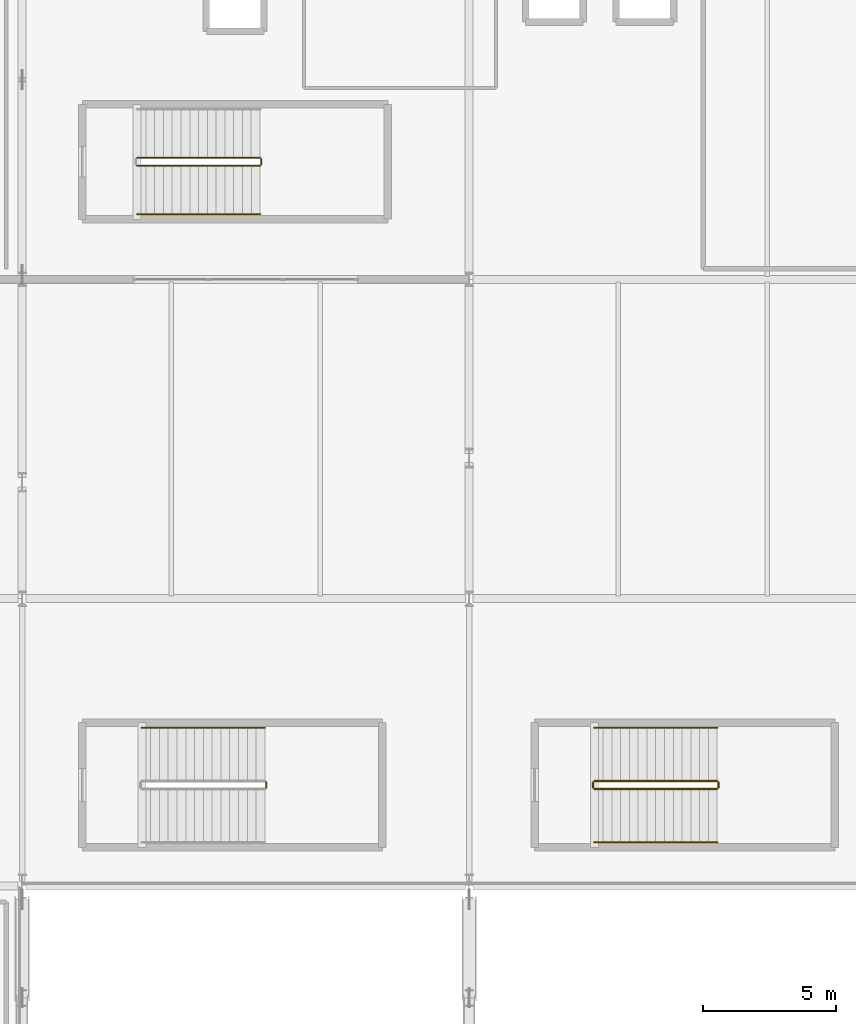
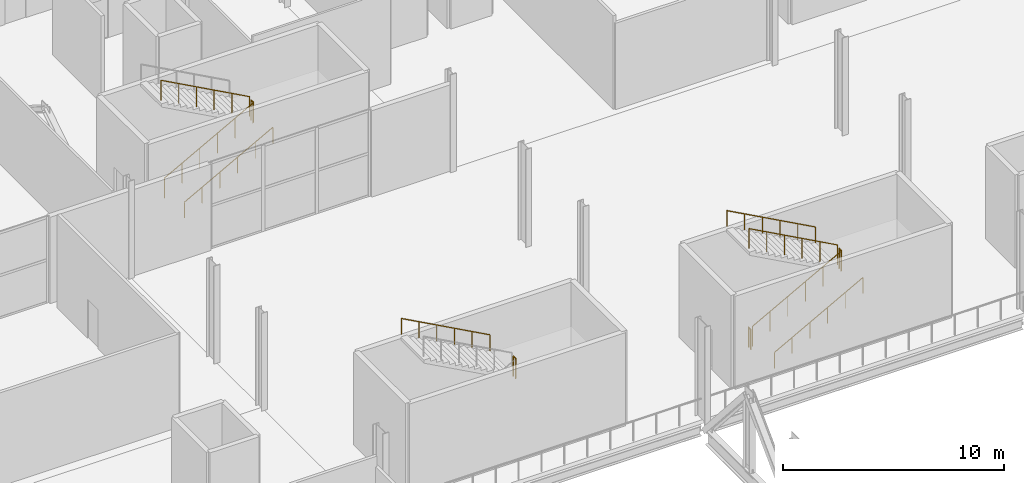
# One storey, part 73 of 84: 12 railings.
"""IFC4 building model written with IfcOpenShell, lengths in metres."""

from ifc_helpers import new_model, si_unit, direction, frame, origin, origin_2d, place, context, subcontext, project, spatial, circle, extrude, material, type_object, element, save


model = new_model("IFC4")

# Units and contexts
model_context = context("Model", 3, precision=1e-05, world=origin(), true_north=direction((0.0, 1.0)))
body_context = subcontext(model_context, "Body", "Model", "MODEL_VIEW")
ifc_project = project(units=[si_unit("LENGTHUNIT", "METRE"), si_unit("AREAUNIT", "SQUARE_METRE"), si_unit("VOLUMEUNIT", "CUBIC_METRE"), si_unit("PLANEANGLEUNIT", "RADIAN"), si_unit("MASSUNIT", "GRAM", prefix="KILO")], contexts=[model_context])

# Site, building, storey
site_placement = place(None, origin())
site = spatial("IfcSite", under=ifc_project, at=site_placement, CompositionType="ELEMENT")
building_placement = place(site_placement, origin())
building = spatial("IfcBuilding", under=site, at=building_placement, Name="Kimbaza Rail Terminus", CompositionType="ELEMENT")
storey_placement = place(building_placement, frame((0.0, 0.0, 5.39990234375)))
storey = spatial("IfcBuildingStorey", under=building, at=storey_placement, Name="L01", CompositionType="ELEMENT", Elevation=5.39990234375)

# Railings
ifc_material_1 = material(Name="Brushed stainless steel handrail", Category="steel")
railing_type_1 = type_object("IfcRailingType", Name="ARC-RL-HND92", PredefinedType="HANDRAIL", material=ifc_material_1)
railing_1_placement = place(storey_placement, frame((76.320068359375, 105.449951171875, 0.18017578125)))
element("IfcRailing", 1, at=railing_1_placement, inside=storey, type_object=railing_type_1, Name="L01 ST-W1 stair handrail 1", PredefinedType="HANDRAIL", context=body_context, shape_type="SweptSolid", body=[
    extrude(circle(Radius=0.02392578125, at=origin_2d()), frame((0.0, 0.0, 0.8759765625), z_axis=(0.877888480945, 0.0, 0.478865132395), x_axis=(0.0, 1.0, 0.0)), (0.0, 0.0, 1.0), 5.262451171875),
    extrude(circle(Radius=0.02099609375, at=origin_2d()), origin(), (0.0, 0.0, 1.0), 0.851806640625),
    extrude(circle(Radius=0.02099609375, at=origin_2d()), frame((0.924072265625, 0.0, 0.50390625)), (0.0, 0.0, 1.0), 0.851806640625),
    extrude(circle(Radius=0.02099609375, at=origin_2d()), frame((1.847900390625, 0.0, 1.008056640625)), (0.0, 0.0, 1.0), 0.851806640625),
    extrude(circle(Radius=0.02099609375, at=origin_2d()), frame((2.77197265625, 0.0, 1.511962890625)), (0.0, 0.0, 1.0), 0.851806640625),
    extrude(circle(Radius=0.02099609375, at=origin_2d()), frame((3.69580078125, 0.0, 2.01611328125)), (0.0, 0.0, 1.0), 0.851806640625),
    extrude(circle(Radius=0.02099609375, at=origin_2d()), frame((4.619873046875, 0.0, 2.52001953125)), (0.0, 0.0, 1.0), 0.851806640625),
])
railing_2_placement = place(storey_placement, frame((81.1201171875, 86.14990234375, 2.880126953125)))
element("IfcRailing", 2, at=railing_2_placement, inside=storey, type_object=railing_type_1, Name="L01 ST-C1 stair handrail 2", PredefinedType="HANDRAIL", context=body_context, shape_type="SweptSolid", body=[
    extrude(circle(Radius=0.02392578125, at=origin_2d()), frame((0.0, 0.0, 0.8759765625), z_axis=(-0.877899118682, 0.0, 0.478845630049), x_axis=(0.0, -1.0, 0.0)), (0.0, 0.0, 1.0), 5.2626953125),
    extrude(circle(Radius=0.02099609375, at=origin_2d()), origin(), (0.0, 0.0, 1.0), 0.851806640625),
    extrude(circle(Radius=0.02099609375, at=origin_2d()), frame((-0.924072265625, 0.0, 0.50390625)), (0.0, 0.0, 1.0), 0.851806640625),
    extrude(circle(Radius=0.02099609375, at=origin_2d()), frame((-1.84814453125, 0.0, 1.008056640625)), (0.0, 0.0, 1.0), 0.851806640625),
    extrude(circle(Radius=0.02099609375, at=origin_2d()), frame((-2.77197265625, 0.0, 1.511962890625)), (0.0, 0.0, 1.0), 0.851806640625),
    extrude(circle(Radius=0.02099609375, at=origin_2d()), frame((-3.696044921875, 0.0, 2.01611328125)), (0.0, 0.0, 1.0), 0.851806640625),
    extrude(circle(Radius=0.02099609375, at=origin_2d()), frame((-4.6201171875, 0.0, 2.52001953125)), (0.0, 0.0, 1.0), 0.851806640625),
])
railing_3_placement = place(storey_placement, frame((93.5, 81.85009765625, 0.18017578125)))
element("IfcRailing", 3, at=railing_3_placement, inside=storey, type_object=railing_type_1, Name="L01 ST-C3 stair handrail 1", PredefinedType="HANDRAIL", context=body_context, shape_type="SweptSolid", body=[
    extrude(circle(Radius=0.02392578125, at=origin_2d()), frame((0.0, 0.0, 0.8759765625), z_axis=(0.877899118682, 0.0, 0.478845630049), x_axis=(0.0, 1.0, 0.0)), (0.0, 0.0, 1.0), 5.2626953125),
    extrude(circle(Radius=0.02099609375, at=origin_2d()), origin(), (0.0, 0.0, 1.0), 0.851806640625),
    extrude(circle(Radius=0.02099609375, at=origin_2d()), frame((0.924072265625, 0.0, 0.50390625)), (0.0, 0.0, 1.0), 0.851806640625),
    extrude(circle(Radius=0.02099609375, at=origin_2d()), frame((1.84814453125, 0.0, 1.008056640625)), (0.0, 0.0, 1.0), 0.851806640625),
    extrude(circle(Radius=0.02099609375, at=origin_2d()), frame((2.77197265625, 0.0, 1.511962890625)), (0.0, 0.0, 1.0), 0.851806640625),
    extrude(circle(Radius=0.02099609375, at=origin_2d()), frame((3.696044921875, 0.0, 2.01611328125)), (0.0, 0.0, 1.0), 0.851806640625),
    extrude(circle(Radius=0.02099609375, at=origin_2d()), frame((4.6201171875, 0.0, 2.52001953125)), (0.0, 0.0, 1.0), 0.851806640625),
])
railing_4_placement = place(storey_placement, frame((98.1201171875, 86.14990234375, 2.880126953125)))
element("IfcRailing", 4, at=railing_4_placement, inside=storey, type_object=railing_type_1, Name="L01 ST-C3 stair handrail 2", PredefinedType="HANDRAIL", context=body_context, shape_type="SweptSolid", body=[
    extrude(circle(Radius=0.02392578125, at=origin_2d()), frame((0.0, 0.0, 0.8759765625), z_axis=(-0.877899118682, 0.0, 0.478845630049), x_axis=(0.0, -1.0, 0.0)), (0.0, 0.0, 1.0), 5.2626953125),
    extrude(circle(Radius=0.02099609375, at=origin_2d()), origin(), (0.0, 0.0, 1.0), 0.851806640625),
    extrude(circle(Radius=0.02099609375, at=origin_2d()), frame((-0.924072265625, 0.0, 0.50390625)), (0.0, 0.0, 1.0), 0.851806640625),
    extrude(circle(Radius=0.02099609375, at=origin_2d()), frame((-1.84814453125, 0.0, 1.008056640625)), (0.0, 0.0, 1.0), 0.851806640625),
    extrude(circle(Radius=0.02099609375, at=origin_2d()), frame((-2.77197265625, 0.0, 1.511962890625)), (0.0, 0.0, 1.0), 0.851806640625),
    extrude(circle(Radius=0.02099609375, at=origin_2d()), frame((-3.696044921875, 0.0, 2.01611328125)), (0.0, 0.0, 1.0), 0.851806640625),
    extrude(circle(Radius=0.02099609375, at=origin_2d()), frame((-4.6201171875, 0.0, 2.52001953125)), (0.0, 0.0, 1.0), 0.851806640625),
])
ifc_material_2 = material(Name="Painted tubular steel stair well guard", Category="steel")
railing_type_2 = type_object("IfcRailingType", Name="ARC-RL-STGRD", PredefinedType="GUARDRAIL", material=ifc_material_2)
railing_5_placement = place(storey_placement, frame((76.320068359375, 107.27001953125, 0.18017578125)))
element("IfcRailing", 5, at=railing_5_placement, inside=storey, type_object=railing_type_2, Name="L01 ST-W1 stair guard 1", PredefinedType="GUARDRAIL", context=body_context, shape_type="SweptSolid", body=[
    extrude(circle(Radius=0.02392578125, at=origin_2d()), frame((0.0, 0.0, 1.09619140625), z_axis=(0.877888480945, 0.0, 0.478865132395), x_axis=(0.0, 1.0, 0.0)), (0.0, 0.0, 1.0), 5.262451171875),
    extrude(circle(Radius=0.02099609375, at=origin_2d()), origin(), (0.0, 0.0, 1.0), 1.072021484375),
    extrude(circle(Radius=0.02099609375, at=origin_2d()), frame((0.924072265625, 0.0, 0.50390625)), (0.0, 0.0, 1.0), 1.072021484375),
    extrude(circle(Radius=0.02099609375, at=origin_2d()), frame((1.847900390625, 0.0, 1.008056640625)), (0.0, 0.0, 1.0), 1.072021484375),
    extrude(circle(Radius=0.02099609375, at=origin_2d()), frame((2.77197265625, 0.0, 1.511962890625)), (0.0, 0.0, 1.0), 1.072021484375),
    extrude(circle(Radius=0.02099609375, at=origin_2d()), frame((3.69580078125, 0.0, 2.01611328125)), (0.0, 0.0, 1.0), 1.072021484375),
    extrude(circle(Radius=0.02099609375, at=origin_2d()), frame((4.619873046875, 0.0, 2.52001953125)), (0.0, 0.0, 1.0), 1.072021484375),
])
railing_6_placement = place(storey_placement, frame((80.989990234375, 107.320068359375, 2.7001953125)))
element("IfcRailing", 6, at=railing_6_placement, inside=storey, type_object=railing_type_2, Name="L01 ST-W1 stair guard 2", PredefinedType="GUARDRAIL", context=body_context, shape_type="SweptSolid", body=[
    extrude(circle(Radius=0.02392578125, at=origin_2d()), frame((0.0, 0.0, 1.09619140625), z_axis=(0.0, 1.0, 0.0), x_axis=(-1.0, 0.0, 0.0)), (0.0, 0.0, 1.0), 0.199951171875),
    extrude(circle(Radius=0.02099609375, at=origin_2d()), origin(), (0.0, 0.0, 1.0), 1.072021484375),
    extrude(circle(Radius=0.02099609375, at=origin_2d()), frame((0.0, 0.199951171875, 0.0)), (0.0, 0.0, 1.0), 1.072021484375),
])
railing_7_placement = place(storey_placement, frame((80.93994140625, 107.570068359375, 2.880126953125)))
element("IfcRailing", 7, at=railing_7_placement, inside=storey, type_object=railing_type_2, Name="L01 ST-W1 stair guard 3", PredefinedType="GUARDRAIL", context=body_context, shape_type="SweptSolid", body=[
    extrude(circle(Radius=0.02392578125, at=origin_2d()), frame((0.0, 0.0, 1.09619140625), z_axis=(-0.877888480945, 0.0, 0.478865132395), x_axis=(0.0, -1.0, 0.0)), (0.0, 0.0, 1.0), 5.262451171875),
    extrude(circle(Radius=0.02099609375, at=origin_2d()), origin(), (0.0, 0.0, 1.0), 1.072021484375),
    extrude(circle(Radius=0.02099609375, at=origin_2d()), frame((-0.924072265625, 0.0, 0.50390625)), (0.0, 0.0, 1.0), 1.072021484375),
    extrude(circle(Radius=0.02099609375, at=origin_2d()), frame((-1.847900390625, 0.0, 1.008056640625)), (0.0, 0.0, 1.0), 1.072021484375),
    extrude(circle(Radius=0.02099609375, at=origin_2d()), frame((-2.77197265625, 0.0, 1.511962890625)), (0.0, 0.0, 1.0), 1.072021484375),
    extrude(circle(Radius=0.02099609375, at=origin_2d()), frame((-3.69580078125, 0.0, 2.01611328125)), (0.0, 0.0, 1.0), 1.072021484375),
    extrude(circle(Radius=0.02099609375, at=origin_2d()), frame((-4.619873046875, 0.0, 2.52001953125)), (0.0, 0.0, 1.0), 1.072021484375),
])
railing_8_placement = place(storey_placement, frame((81.169921875, 83.89990234375, 2.7001953125)))
element("IfcRailing", 8, at=railing_8_placement, inside=storey, type_object=railing_type_2, Name="L01 ST-C1 stair guard 2", PredefinedType="GUARDRAIL", context=body_context, shape_type="SweptSolid", body=[
    extrude(circle(Radius=0.02392578125, at=origin_2d()), frame((0.0, 0.0, 1.09619140625), z_axis=(0.0, 1.0, 0.0), x_axis=(-1.0, 0.0, 0.0)), (0.0, 0.0, 1.0), 0.2001953125),
    extrude(circle(Radius=0.02099609375, at=origin_2d()), origin(), (0.0, 0.0, 1.0), 1.072021484375),
    extrude(circle(Radius=0.02099609375, at=origin_2d()), frame((0.0, 0.2001953125, 0.0)), (0.0, 0.0, 1.0), 1.072021484375),
])
railing_9_placement = place(storey_placement, frame((93.5, 83.85009765625, 0.18017578125)))
element("IfcRailing", 9, at=railing_9_placement, inside=storey, type_object=railing_type_2, Name="L01 ST-C3 stair guard 1", PredefinedType="GUARDRAIL", context=body_context, shape_type="SweptSolid", body=[
    extrude(circle(Radius=0.02392578125, at=origin_2d()), frame((0.0, 0.0, 1.09619140625), z_axis=(0.877899118682, 0.0, 0.478845630049), x_axis=(0.0, 1.0, 0.0)), (0.0, 0.0, 1.0), 5.2626953125),
    extrude(circle(Radius=0.02099609375, at=origin_2d()), origin(), (0.0, 0.0, 1.0), 1.072021484375),
    extrude(circle(Radius=0.02099609375, at=origin_2d()), frame((0.924072265625, 0.0, 0.50390625)), (0.0, 0.0, 1.0), 1.072021484375),
    extrude(circle(Radius=0.02099609375, at=origin_2d()), frame((1.84814453125, 0.0, 1.008056640625)), (0.0, 0.0, 1.0), 1.072021484375),
    extrude(circle(Radius=0.02099609375, at=origin_2d()), frame((2.77197265625, 0.0, 1.511962890625)), (0.0, 0.0, 1.0), 1.072021484375),
    extrude(circle(Radius=0.02099609375, at=origin_2d()), frame((3.696044921875, 0.0, 2.01611328125)), (0.0, 0.0, 1.0), 1.072021484375),
    extrude(circle(Radius=0.02099609375, at=origin_2d()), frame((4.6201171875, 0.0, 2.52001953125)), (0.0, 0.0, 1.0), 1.072021484375),
])
railing_10_placement = place(storey_placement, frame((98.169921875, 83.89990234375, 2.7001953125)))
element("IfcRailing", 10, at=railing_10_placement, inside=storey, type_object=railing_type_2, Name="L01 ST-C3 stair guard 2", PredefinedType="GUARDRAIL", context=body_context, shape_type="SweptSolid", body=[
    extrude(circle(Radius=0.02392578125, at=origin_2d()), frame((0.0, 0.0, 1.09619140625), z_axis=(0.0, 1.0, 0.0), x_axis=(-1.0, 0.0, 0.0)), (0.0, 0.0, 1.0), 0.2001953125),
    extrude(circle(Radius=0.02099609375, at=origin_2d()), origin(), (0.0, 0.0, 1.0), 1.072021484375),
    extrude(circle(Radius=0.02099609375, at=origin_2d()), frame((0.0, 0.2001953125, 0.0)), (0.0, 0.0, 1.0), 1.072021484375),
])
railing_11_placement = place(storey_placement, frame((98.1201171875, 84.14990234375, 2.880126953125)))
element("IfcRailing", 11, at=railing_11_placement, inside=storey, type_object=railing_type_2, Name="L01 ST-C3 stair guard 3", PredefinedType="GUARDRAIL", context=body_context, shape_type="SweptSolid", body=[
    extrude(circle(Radius=0.02392578125, at=origin_2d()), frame((0.0, 0.0, 1.09619140625), z_axis=(-0.877899118682, 0.0, 0.478845630049), x_axis=(0.0, -1.0, 0.0)), (0.0, 0.0, 1.0), 5.2626953125),
    extrude(circle(Radius=0.02099609375, at=origin_2d()), origin(), (0.0, 0.0, 1.0), 1.072021484375),
    extrude(circle(Radius=0.02099609375, at=origin_2d()), frame((-0.924072265625, 0.0, 0.50390625)), (0.0, 0.0, 1.0), 1.072021484375),
    extrude(circle(Radius=0.02099609375, at=origin_2d()), frame((-1.84814453125, 0.0, 1.008056640625)), (0.0, 0.0, 1.0), 1.072021484375),
    extrude(circle(Radius=0.02099609375, at=origin_2d()), frame((-2.77197265625, 0.0, 1.511962890625)), (0.0, 0.0, 1.0), 1.072021484375),
    extrude(circle(Radius=0.02099609375, at=origin_2d()), frame((-3.696044921875, 0.0, 2.01611328125)), (0.0, 0.0, 1.0), 1.072021484375),
    extrude(circle(Radius=0.02099609375, at=origin_2d()), frame((-4.6201171875, 0.0, 2.52001953125)), (0.0, 0.0, 1.0), 1.072021484375),
])
railing_12_placement = place(storey_placement, frame((93.449951171875, 83.89990234375, 0.0)))
element("IfcRailing", 12, at=railing_12_placement, inside=storey, type_object=railing_type_2, Name="L01 ST-C3 stair guard 4", PredefinedType="GUARDRAIL", context=body_context, shape_type="SweptSolid", body=[
    extrude(circle(Radius=0.02392578125, at=origin_2d()), frame((0.0, 0.0, 1.09619140625), z_axis=(0.0, 1.0, 0.0), x_axis=(-1.0, 0.0, 0.0)), (0.0, 0.0, 1.0), 0.2001953125),
    extrude(circle(Radius=0.02099609375, at=origin_2d()), origin(), (0.0, 0.0, 1.0), 1.072021484375),
    extrude(circle(Radius=0.02099609375, at=origin_2d()), frame((0.0, 0.2001953125, 0.0)), (0.0, 0.0, 1.0), 1.072021484375),
])

save(model, "model.ifc")
